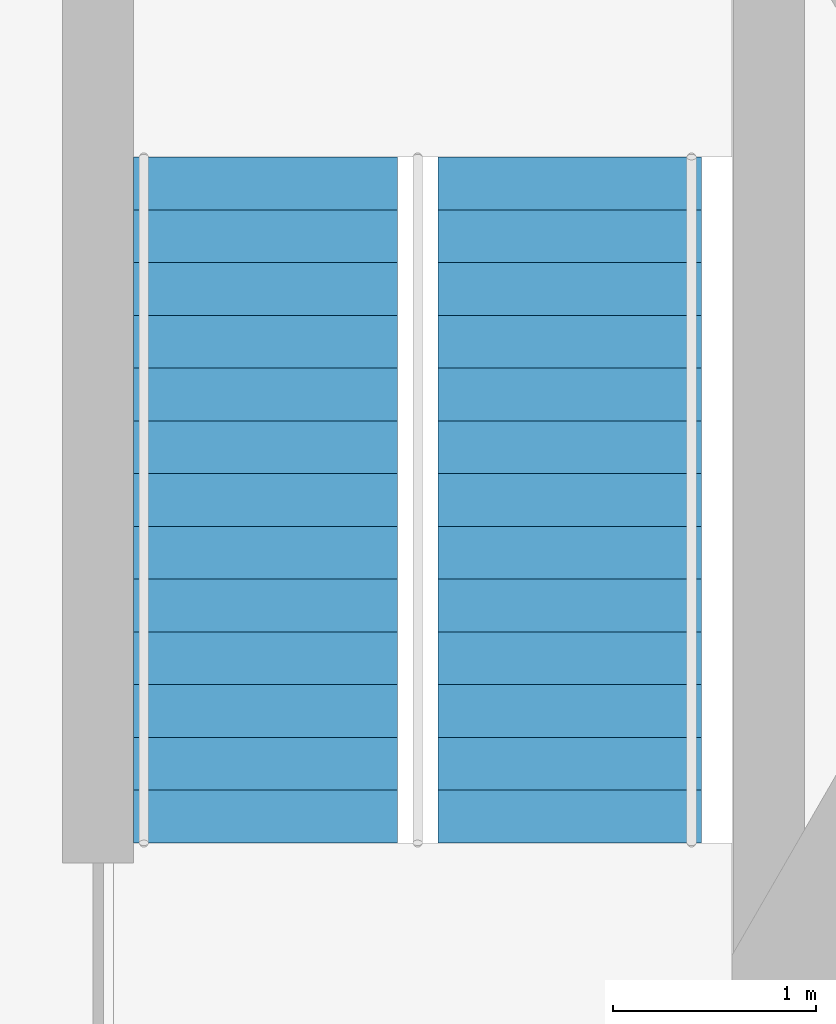
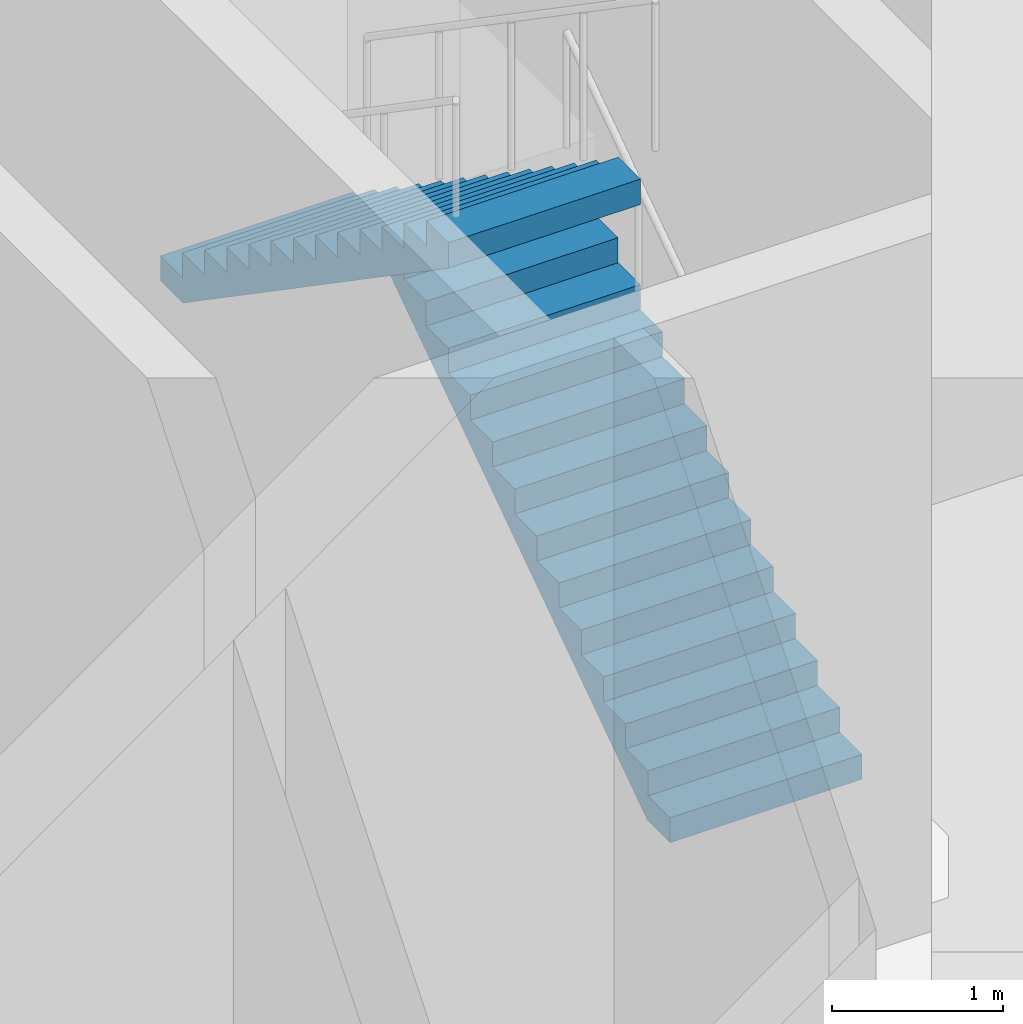
# One storey, part 7 of 8: 2 stair flights, 1 element without a shape of its own.
"""IFC4 building model written with IfcOpenShell, lengths in metres."""

from ifc_helpers import new_model, si_unit, direction, frame, origin, place, context, subcontext, project, spatial, polyline, outline, extrude, material, type_object, element, aggregate, save


model = new_model("IFC4")

# Units and contexts
model_context = context("Model", 3, precision=1e-05, world=origin(), true_north=direction((0.0, 1.0)))
body_context = subcontext(model_context, "Body", "Model", "MODEL_VIEW")
ifc_project = project(units=[si_unit("LENGTHUNIT", "METRE"), si_unit("AREAUNIT", "SQUARE_METRE"), si_unit("VOLUMEUNIT", "CUBIC_METRE"), si_unit("PLANEANGLEUNIT", "RADIAN"), si_unit("MASSUNIT", "GRAM", prefix="KILO")], contexts=[model_context])

# Site, building, storey
site_placement = place(None, origin())
site = spatial("IfcSite", under=ifc_project, at=site_placement, CompositionType="ELEMENT")
building_placement = place(site_placement, origin())
building = spatial("IfcBuilding", under=site, at=building_placement, Name="Kasaneha Research Tower", CompositionType="ELEMENT")
storey_placement = place(building_placement, frame((0.0, 0.0, 52.0)))
storey = spatial("IfcBuildingStorey", under=building, at=storey_placement, Name="L13", CompositionType="ELEMENT", Elevation=52.0)

# Stair, stair flights
ifc_material_1 = material(Name="Concrete Fc24", Category="concrete")
stair_type = type_object("IfcStairType", Name="Half-turn stair 28 risers", PredefinedType="HALF_TURN_STAIR", material=ifc_material_1)
stair_placement = place(storey_placement, origin())
stair = element("IfcStair", 1, at=stair_placement, inside=storey, type_object=stair_type, Name="Stair 1 L13", PredefinedType="HALF_TURN_STAIR")
ifc_material_2 = material(Name="Concrete Fc24", Category="concrete")
stair_flight_type = type_object("IfcStairFlightType", Name="Stair flight 14 risers 178.6", PredefinedType="STRAIGHT", material=ifc_material_2)
stair_flight_1_placement = place(storey_placement, frame((8.824951171875, -2.22509765625, 0.0), z_axis=(0.0, 0.0, 1.0), x_axis=(0.0, 1.0, 0.0)))
stair_flight_1 = element("IfcStairFlight", 2, at=stair_flight_1_placement, type_object=stair_flight_type, Name="ST1-28R flight 1", NumberOfRisers=14, NumberOfTreads=13, PredefinedType="STRAIGHT", RiserHeight=0.178571429, TreadLength=0.26, context=body_context, shape_type="SweptSolid", body=[
    extrude(outline(polyline([(0.0, 0.0), (0.0, 0.178466796875), (0.260009765625, 0.178466796875), (0.260009765625, 0.357177734375), (0.52001953125, 0.357177734375), (0.52001953125, 0.53564453125), (0.780029296875, 0.53564453125), (0.780029296875, 0.71435546875), (1.0400390625, 0.71435546875), (1.0400390625, 0.892822265625), (1.300048828125, 0.892822265625), (1.300048828125, 1.071533203125), (1.56005859375, 1.071533203125), (1.56005859375, 1.25), (1.820068359375, 1.25), (1.820068359375, 1.428466796875), (2.080078125, 1.428466796875), (2.080078125, 1.607177734375), (2.340087890625, 1.607177734375), (2.340087890625, 1.78564453125), (2.60009765625, 1.78564453125), (2.60009765625, 1.96435546875), (2.860107421875, 1.96435546875), (2.860107421875, 2.142822265625), (3.1201171875, 2.142822265625), (3.1201171875, 2.321533203125), (3.3798828125, 2.321533203125), (3.3798828125, 2.5), (3.3798828125, 2.1396484375), (0.264892578125, 0.0), (0.0, 0.0)])), frame((0.0, 0.64990234375, 0.0), z_axis=(0.0, -1.0, 0.0), x_axis=(1.0, 0.0, 0.0)), (0.0, 0.0, 1.0), 1.300048828125),
])
stair_flight_2_placement = place(storey_placement, frame((7.324951171875, 1.155029296875, 2.5), z_axis=(0.0, 0.0, 1.0), x_axis=(0.0, -1.0, 0.0)))
stair_flight_2 = element("IfcStairFlight", 3, at=stair_flight_2_placement, type_object=stair_flight_type, Name="ST1-28R flight 2", NumberOfRisers=14, NumberOfTreads=13, PredefinedType="STRAIGHT", RiserHeight=0.178571429, TreadLength=0.26, context=body_context, shape_type="SweptSolid", body=[
    extrude(outline(polyline([(0.0, 0.0), (0.0, 0.178466796875), (0.260009765625, 0.178466796875), (0.260009765625, 0.357177734375), (0.52001953125, 0.357177734375), (0.52001953125, 0.53564453125), (0.780029296875, 0.53564453125), (0.780029296875, 0.71435546875), (1.0400390625, 0.71435546875), (1.0400390625, 0.892822265625), (1.300048828125, 0.892822265625), (1.300048828125, 1.071533203125), (1.56005859375, 1.071533203125), (1.56005859375, 1.25), (1.820068359375, 1.25), (1.820068359375, 1.428466796875), (2.080078125, 1.428466796875), (2.080078125, 1.607177734375), (2.340087890625, 1.607177734375), (2.340087890625, 1.78564453125), (2.60009765625, 1.78564453125), (2.60009765625, 1.96435546875), (2.860107421875, 1.96435546875), (2.860107421875, 2.142822265625), (3.1201171875, 2.142822265625), (3.1201171875, 2.321533203125), (3.3798828125, 2.321533203125), (3.3798828125, 2.5), (3.3798828125, 2.1396484375), (0.264892578125, 0.0), (0.0, 0.0)])), frame((0.0, 0.64990234375, 0.0), z_axis=(0.0, -1.0, 0.0), x_axis=(1.0, 0.0, 0.0)), (0.0, 0.0, 1.0), 1.300048828125),
])
aggregate(stair, [stair_flight_1, stair_flight_2])

save(model, "model.ifc")
